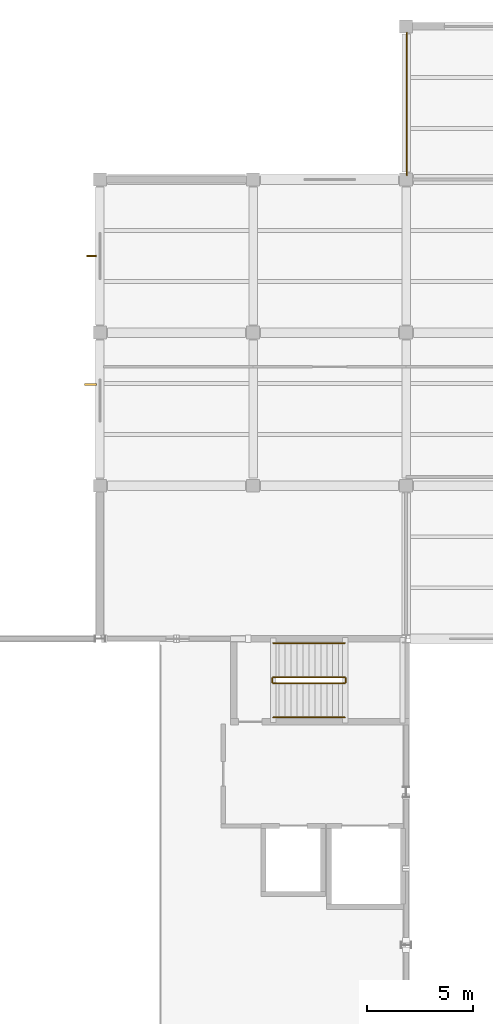
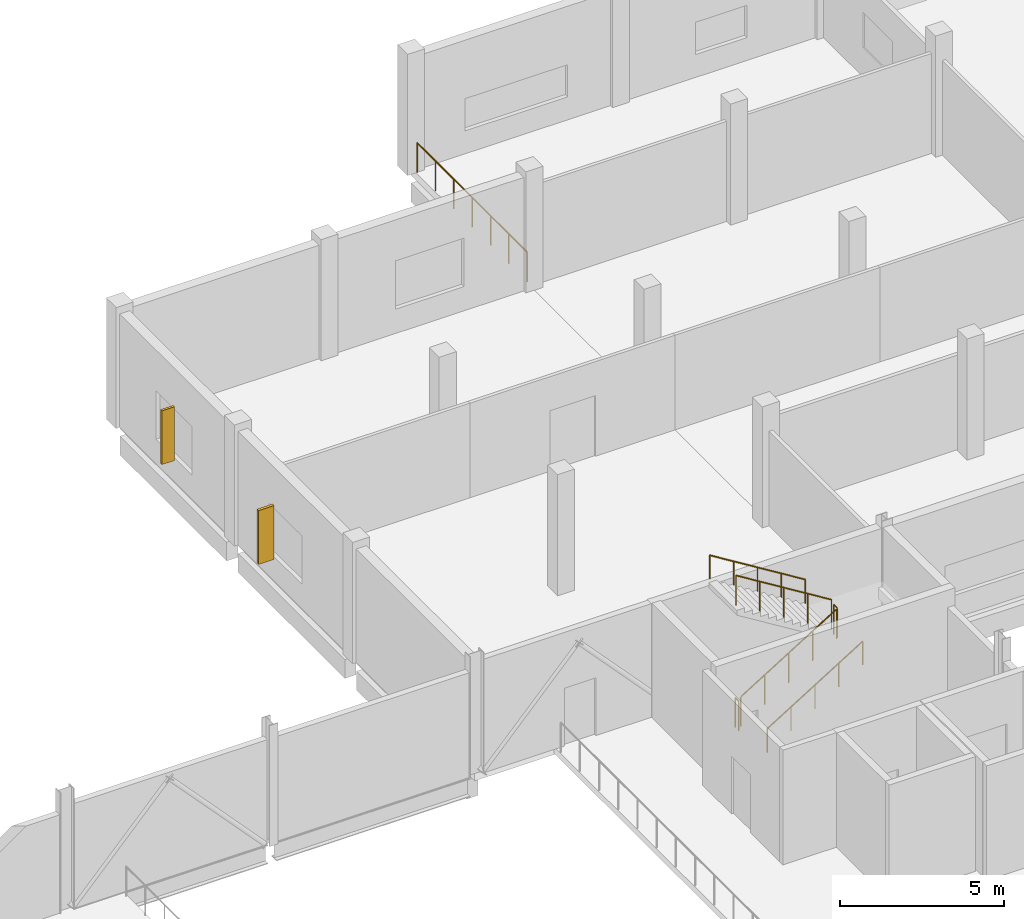
# One storey, part 103 of 105: 7 railings, 2 shading devices.
"""IFC4 building model written with IfcOpenShell, lengths in metres."""

from ifc_helpers import new_model, si_unit, direction, frame, origin, origin_2d, place, context, subcontext, project, spatial, rectangle, circle, extrude, material, type_object, element, save


model = new_model("IFC4")

# Units and contexts
model_context = context("Model", 3, precision=1e-05, world=origin(), true_north=direction((0.0, 1.0)))
body_context = subcontext(model_context, "Body", "Model", "MODEL_VIEW")
ifc_project = project(units=[si_unit("LENGTHUNIT", "METRE"), si_unit("AREAUNIT", "SQUARE_METRE"), si_unit("VOLUMEUNIT", "CUBIC_METRE"), si_unit("PLANEANGLEUNIT", "RADIAN"), si_unit("MASSUNIT", "GRAM", prefix="KILO"), si_unit("THERMODYNAMICTEMPERATUREUNIT", "KELVIN"), si_unit("POWERUNIT", "WATT")], contexts=[model_context])

# Site, building, storey
site_placement = place(None, origin())
site = spatial("IfcSite", under=ifc_project, at=site_placement, CompositionType="ELEMENT")
building_placement = place(site_placement, origin())
building = spatial("IfcBuilding", under=site, at=building_placement, Name="Kaldorven Railside Theatre", CompositionType="ELEMENT")
storey_placement = place(building_placement, frame((0.0, 0.0, 9.89990234375)))
storey = spatial("IfcBuildingStorey", under=building, at=storey_placement, Name="L02", CompositionType="ELEMENT", Elevation=9.89990234375)

# Railings
ifc_material_1 = material(Name="Anodised bronze aluminium", Category="aluminium")
railing_type_1 = type_object("IfcRailingType", Name="RLG-BAL-1100", PredefinedType="BALUSTRADE", material=ifc_material_1)
railing_1_placement = place(storey_placement, frame((123.239990234375, 134.60009765625, 0.0)))
element("IfcRailing", 1, at=railing_1_placement, inside=storey, type_object=railing_type_1, Name="L02 Safety Balustrade GR-100", PredefinedType="BALUSTRADE", context=body_context, shape_type="SweptSolid", body=[
    extrude(circle(Radius=0.02392578125, at=origin_2d()), frame((0.0, 0.0, 1.09619140625), z_axis=(0.0, 1.0, 0.0), x_axis=(-1.0, 0.0, 0.0)), (0.0, 0.0, 1.0), 6.703125),
    extrude(circle(Radius=0.02099609375, at=origin_2d()), origin(), (0.0, 0.0, 1.0), 1.072021484375),
    extrude(circle(Radius=0.02099609375, at=origin_2d()), frame((0.0, 1.1171875, 0.0)), (0.0, 0.0, 1.0), 1.072021484375),
    extrude(circle(Radius=0.02099609375, at=origin_2d()), frame((0.0, 2.234375, 0.0)), (0.0, 0.0, 1.0), 1.072021484375),
    extrude(circle(Radius=0.02099609375, at=origin_2d()), frame((0.0, 3.3515625, 0.0)), (0.0, 0.0, 1.0), 1.072021484375),
    extrude(circle(Radius=0.02099609375, at=origin_2d()), frame((0.0, 4.46875, 0.0)), (0.0, 0.0, 1.0), 1.072021484375),
    extrude(circle(Radius=0.02099609375, at=origin_2d()), frame((0.0, 5.5859375, 0.0)), (0.0, 0.0, 1.0), 1.072021484375),
    extrude(circle(Radius=0.02099609375, at=origin_2d()), frame((0.0, 6.703125, 0.0)), (0.0, 0.0, 1.0), 1.072021484375),
])
ifc_material_2 = material(Name="Steel S355", Category="steel")
railing_type_2 = type_object("IfcRailingType", Name="RLG-STG-1100", PredefinedType="BALUSTRADE", material=ifc_material_2)
railing_2_placement = place(storey_placement, frame((116.949951171875, 110.699951171875, 0.173095703125)))
element("IfcRailing", 2, at=railing_2_placement, inside=storey, type_object=railing_type_2, Name="L02 ST-06 stair guard 1", PredefinedType="BALUSTRADE", context=body_context, shape_type="SweptSolid", body=[
    extrude(circle(Radius=0.02392578125, at=origin_2d()), frame((0.0, 0.0, 1.09619140625), z_axis=(0.850623216509, 0.0, 0.525775754039), x_axis=(0.0, 1.0, 0.0)), (0.0, 0.0, 1.0), 3.9501953125),
    extrude(circle(Radius=0.02099609375, at=origin_2d()), origin(), (0.0, 0.0, 1.0), 1.072021484375),
    extrude(circle(Radius=0.02099609375, at=origin_2d()), frame((0.840087890625, 0.0, 0.519287109375)), (0.0, 0.0, 1.0), 1.072021484375),
    extrude(circle(Radius=0.02099609375, at=origin_2d()), frame((1.68017578125, 0.0, 1.03857421875)), (0.0, 0.0, 1.0), 1.072021484375),
    extrude(circle(Radius=0.02099609375, at=origin_2d()), frame((2.52001953125, 0.0, 1.5576171875)), (0.0, 0.0, 1.0), 1.072021484375),
    extrude(circle(Radius=0.02099609375, at=origin_2d()), frame((3.360107421875, 0.0, 2.076904296875)), (0.0, 0.0, 1.0), 1.072021484375),
])
railing_3_placement = place(storey_placement, frame((120.360107421875, 110.75, 2.25)))
element("IfcRailing", 3, at=railing_3_placement, inside=storey, type_object=railing_type_2, Name="L02 ST-06 stair guard 2", PredefinedType="BALUSTRADE", context=body_context, shape_type="SweptSolid", body=[
    extrude(circle(Radius=0.02392578125, at=origin_2d()), frame((0.0, 0.0, 1.09619140625), z_axis=(0.0, 1.0, 0.0), x_axis=(-1.0, 0.0, 0.0)), (0.0, 0.0, 1.0), 0.199951171875),
    extrude(circle(Radius=0.02099609375, at=origin_2d()), origin(), (0.0, 0.0, 1.0), 1.072021484375),
    extrude(circle(Radius=0.02099609375, at=origin_2d()), frame((0.0, 0.199951171875, 0.0)), (0.0, 0.0, 1.0), 1.072021484375),
])
railing_4_placement = place(storey_placement, frame((120.31005859375, 111.0, 2.423095703125)))
element("IfcRailing", 4, at=railing_4_placement, inside=storey, type_object=railing_type_2, Name="L02 ST-06 stair guard 3", PredefinedType="BALUSTRADE", context=body_context, shape_type="SweptSolid", body=[
    extrude(circle(Radius=0.02392578125, at=origin_2d()), frame((0.0, 0.0, 1.09619140625), z_axis=(-0.850623216509, 0.0, 0.525775754039), x_axis=(0.0, -1.0, 0.0)), (0.0, 0.0, 1.0), 3.9501953125),
    extrude(circle(Radius=0.02099609375, at=origin_2d()), origin(), (0.0, 0.0, 1.0), 1.072021484375),
    extrude(circle(Radius=0.02099609375, at=origin_2d()), frame((-0.840087890625, 0.0, 0.519287109375)), (0.0, 0.0, 1.0), 1.072021484375),
    extrude(circle(Radius=0.02099609375, at=origin_2d()), frame((-1.68017578125, 0.0, 1.03857421875)), (0.0, 0.0, 1.0), 1.072021484375),
    extrude(circle(Radius=0.02099609375, at=origin_2d()), frame((-2.52001953125, 0.0, 1.5576171875)), (0.0, 0.0, 1.0), 1.072021484375),
    extrude(circle(Radius=0.02099609375, at=origin_2d()), frame((-3.360107421875, 0.0, 2.076904296875)), (0.0, 0.0, 1.0), 1.072021484375),
])
railing_5_placement = place(storey_placement, frame((116.89990234375, 110.75, 0.0)))
element("IfcRailing", 5, at=railing_5_placement, inside=storey, type_object=railing_type_2, Name="L02 ST-06 stair guard 4", PredefinedType="BALUSTRADE", context=body_context, shape_type="SweptSolid", body=[
    extrude(circle(Radius=0.02392578125, at=origin_2d()), frame((0.0, 0.0, 1.09619140625), z_axis=(0.0, 1.0, 0.0), x_axis=(-1.0, 0.0, 0.0)), (0.0, 0.0, 1.0), 0.199951171875),
    extrude(circle(Radius=0.02099609375, at=origin_2d()), origin(), (0.0, 0.0, 1.0), 1.072021484375),
    extrude(circle(Radius=0.02099609375, at=origin_2d()), frame((0.0, 0.199951171875, 0.0)), (0.0, 0.0, 1.0), 1.072021484375),
])
railing_type_3 = type_object("IfcRailingType", Name="RLG-STH-900", PredefinedType="HANDRAIL", material=ifc_material_2)
railing_6_placement = place(storey_placement, frame((116.949951171875, 109.10009765625, 0.173095703125)))
element("IfcRailing", 6, at=railing_6_placement, inside=storey, type_object=railing_type_3, Name="L02 ST-06 stair handrail 1", PredefinedType="HANDRAIL", context=body_context, shape_type="SweptSolid", body=[
    extrude(circle(Radius=0.02392578125, at=origin_2d()), frame((0.0, 0.0, 0.8759765625), z_axis=(0.850623216509, 0.0, 0.525775754039), x_axis=(0.0, 1.0, 0.0)), (0.0, 0.0, 1.0), 3.9501953125),
    extrude(circle(Radius=0.02099609375, at=origin_2d()), origin(), (0.0, 0.0, 1.0), 0.851806640625),
    extrude(circle(Radius=0.02099609375, at=origin_2d()), frame((0.840087890625, 0.0, 0.519287109375)), (0.0, 0.0, 1.0), 0.851806640625),
    extrude(circle(Radius=0.02099609375, at=origin_2d()), frame((1.68017578125, 0.0, 1.03857421875)), (0.0, 0.0, 1.0), 0.851806640625),
    extrude(circle(Radius=0.02099609375, at=origin_2d()), frame((2.52001953125, 0.0, 1.5576171875)), (0.0, 0.0, 1.0), 0.851806640625),
    extrude(circle(Radius=0.02099609375, at=origin_2d()), frame((3.360107421875, 0.0, 2.076904296875)), (0.0, 0.0, 1.0), 0.851806640625),
])
railing_7_placement = place(storey_placement, frame((120.31005859375, 112.60009765625, 2.423095703125)))
element("IfcRailing", 7, at=railing_7_placement, inside=storey, type_object=railing_type_3, Name="L02 ST-06 stair handrail 2", PredefinedType="HANDRAIL", context=body_context, shape_type="SweptSolid", body=[
    extrude(circle(Radius=0.02392578125, at=origin_2d()), frame((0.0, 0.0, 0.8759765625), z_axis=(-0.850623216509, 0.0, 0.525775754039), x_axis=(0.0, -1.0, 0.0)), (0.0, 0.0, 1.0), 3.9501953125),
    extrude(circle(Radius=0.02099609375, at=origin_2d()), origin(), (0.0, 0.0, 1.0), 0.851806640625),
    extrude(circle(Radius=0.02099609375, at=origin_2d()), frame((-0.840087890625, 0.0, 0.519287109375)), (0.0, 0.0, 1.0), 0.851806640625),
    extrude(circle(Radius=0.02099609375, at=origin_2d()), frame((-1.68017578125, 0.0, 1.03857421875)), (0.0, 0.0, 1.0), 0.851806640625),
    extrude(circle(Radius=0.02099609375, at=origin_2d()), frame((-2.52001953125, 0.0, 1.5576171875)), (0.0, 0.0, 1.0), 0.851806640625),
    extrude(circle(Radius=0.02099609375, at=origin_2d()), frame((-3.360107421875, 0.0, 2.076904296875)), (0.0, 0.0, 1.0), 0.851806640625),
])

# Shading devices
shading_device_type_1 = type_object("IfcShadingDeviceType", Name="SHD-FIN-01", PredefinedType="USERDEFINED", material=ifc_material_1)
shading_device_1_placement = place(storey_placement, frame((108.404052734375, 130.800048828125, 0.800048828125), z_axis=(0.0, 0.0, 1.0), x_axis=(0.0, 1.0, 0.0)))
element("IfcShadingDevice", 8, at=shading_device_1_placement, inside=storey, type_object=shading_device_type_1, Name="Anodised-Bronze Brise-Soleil Fin FIN-033", ObjectType="SUNSHADE", PredefinedType="USERDEFINED", context=body_context, shape_type="SweptSolid", body=[
    extrude(rectangle(XDim=0.080078125, YDim=0.449951171875, at=origin_2d()), origin(), (0.0, 0.0, 1.0), 2.0),
])
shading_device_type_2 = type_object("IfcShadingDeviceType", Name="SHD-FIN-02", PredefinedType="USERDEFINED", material=ifc_material_1)
shading_device_2_placement = place(storey_placement, frame((108.35400390625, 124.75, 0.800048828125), z_axis=(0.0, 0.0, 1.0), x_axis=(0.0, 1.0, 0.0)))
element("IfcShadingDevice", 9, at=shading_device_2_placement, inside=storey, type_object=shading_device_type_2, Name="Anodised-Bronze Brise-Soleil Fin FIN-032", ObjectType="SUNSHADE", PredefinedType="USERDEFINED", context=body_context, shape_type="SweptSolid", body=[
    extrude(rectangle(XDim=0.10009765625, YDim=0.550048828125, at=origin_2d()), origin(), (0.0, 0.0, 1.0), 2.0),
])

save(model, "model.ifc")
